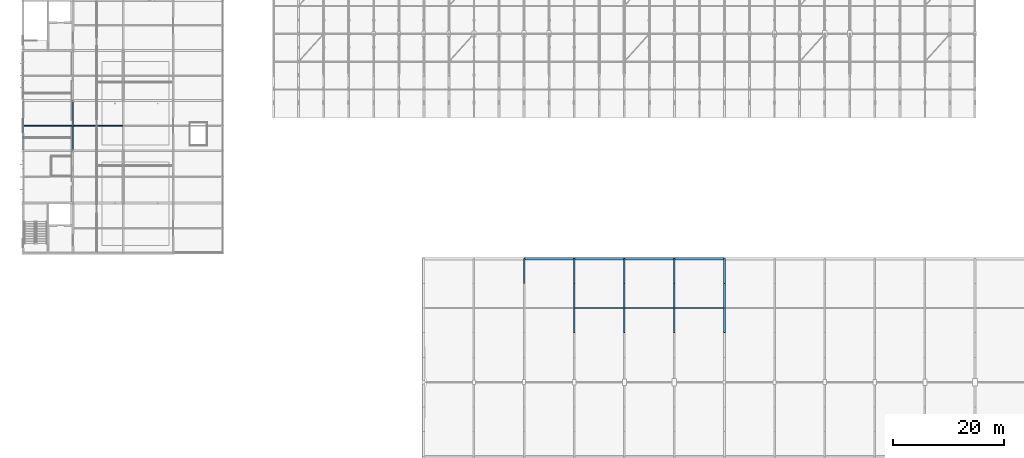
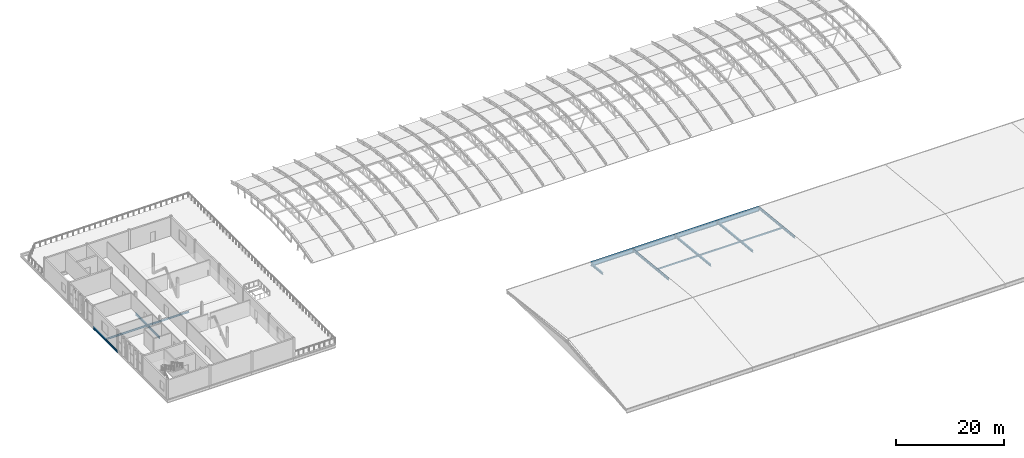
# One storey, part 4 of 53: 16 members, 8 beams.
"""IFC4 building model written with IfcOpenShell, lengths in metres."""

import ifcopenshell
import ifcopenshell.guid

model = None  # the IFC model being written
_history = None  # IfcOwnerHistory: only IFC2X3 demands one
_inside = {}  # id of a spatial element -> (the spatial element, [elements in it])
_under = {}  # id of a project, library or spatial element -> (it, [spatial elements below it])
_declared = {}  # id of a project -> (the project, [libraries it declares])
_typed = {}  # id of a type object -> (the type object, [elements of that type])
_made_of = {}  # id of a material, layer set ... -> (it, [elements and type objects made of it])


def new_model(schema):
    """Start an empty IFC model of exactly this schema.

    Asked for "IFC4X3", IfcOpenShell would pick the latest addendum, in which some entities
    have other attributes; the version numbers below select the first issue.
    IFC2X3 requires an IfcOwnerHistory on every rooted entity: one is made here for all.
    """
    global model, _history
    if schema == "IFC4X3":
        model = ifcopenshell.file(schema_version=(4, 3, 0, 0))
    else:
        model = ifcopenshell.file(schema=schema)
    _inside.clear()
    _under.clear()
    _declared.clear()
    _typed.clear()
    _made_of.clear()
    _history = None
    if model.schema == "IFC2X3":
        org = make("IfcOrganization", Name="unknown")
        user = make(
            "IfcPersonAndOrganization",
            ThePerson=make("IfcPerson", FamilyName="unknown"),
            TheOrganization=org,
        )
        app = make(
            "IfcApplication",
            ApplicationDeveloper=org,
            Version="unknown",
            ApplicationFullName="unknown",
            ApplicationIdentifier="unknown",
        )
        _history = make(
            "IfcOwnerHistory",
            OwningUser=user,
            OwningApplication=app,
            ChangeAction="ADDED",
            CreationDate=0,
        )
    return model


def make(cls, **values):
    """One entity of the class cls with the attributes given. An attribute that is None is left unset."""
    return model.create_entity(
        cls, **{name: value for name, value in values.items() if value is not None}
    )


def rooted(cls, **values):
    """An entity with a GlobalId (a new one), such as an element, a storey or a relation."""
    return make(cls, GlobalId=ifcopenshell.guid.new(), OwnerHistory=_history, **values)


def si_unit(unit_type, name, prefix=None):
    """IfcSIUnit, for example si_unit("LENGTHUNIT", "METRE", prefix="MILLI")."""
    return make("IfcSIUnit", UnitType=unit_type, Prefix=prefix, Name=name)


def assignment(units):
    """IfcUnitAssignment: the units of a project."""
    return None if units is None else make("IfcUnitAssignment", Units=units)


def point(xyz):
    """IfcCartesianPoint."""
    return None if xyz is None else make("IfcCartesianPoint", Coordinates=xyz)


def direction(xyz):
    """IfcDirection."""
    return None if xyz is None else make("IfcDirection", DirectionRatios=xyz)


def frame(location, z_axis=None, x_axis=None):
    """IfcAxis2Placement3D, a coordinate frame: its origin and axes. An axis left out is left unset."""
    return make(
        "IfcAxis2Placement3D",
        Location=point(location),
        Axis=direction(z_axis),
        RefDirection=direction(x_axis),
    )


def frame_2d(location, x_axis=None):
    """IfcAxis2Placement2D, a coordinate frame in the plane: its origin and x axis."""
    return make(
        "IfcAxis2Placement2D", Location=point(location), RefDirection=direction(x_axis)
    )


def origin():
    """The frame at (0, 0, 0) with its axes left unset."""
    return frame((0.0, 0.0, 0.0))


def origin_2d():
    """The frame at (0, 0) in the plane with its x axis left unset."""
    return frame_2d((0.0, 0.0))


def place(relative_to, where):
    """IfcLocalPlacement: puts the frame where relative to a parent placement (None: the world)."""
    return make(
        "IfcLocalPlacement", PlacementRelTo=relative_to, RelativePlacement=where
    )


def context(
    kind, dimensions, precision=None, world=None, true_north=None, identifier=None
):
    """IfcGeometricRepresentationContext, for example the 3D "Model" context."""
    return make(
        "IfcGeometricRepresentationContext",
        ContextIdentifier=identifier,
        ContextType=kind,
        CoordinateSpaceDimension=dimensions,
        Precision=precision,
        WorldCoordinateSystem=world,
        TrueNorth=true_north,
    )


def subcontext(parent, identifier, kind, view, scale=None):
    """IfcGeometricRepresentationSubContext, for example "Body" below "Model"."""
    return make(
        "IfcGeometricRepresentationSubContext",
        ContextIdentifier=identifier,
        ContextType=kind,
        ParentContext=parent,
        TargetScale=scale,
        TargetView=view,
    )


def project(units=None, contexts=None):
    """IfcProject with its units and contexts."""
    return rooted(
        "IfcProject",
        Name="project",
        RepresentationContexts=contexts,
        UnitsInContext=assignment(units),
    )


def spatial(cls, under=None, at=None, **own):
    """A site, building, storey or space (cls), placed at a placement, below another one or the project."""
    s = rooted(cls, ObjectPlacement=at, **own)
    if under is not None:
        _under.setdefault(under.id(), (under, []))[1].append(s)
    return s


def profile(cls, at=None, kind="AREA", **sizes):
    """A parametric profile (cls). Its sizes go by their IFC names, for example OverallWidth=200.0."""
    return make(cls, ProfileType=kind, Position=at, **sizes)


def hollow_rectangle(**sizes):
    """IfcRectangleHollowProfileDef."""
    return profile("IfcRectangleHollowProfileDef", **sizes)


def i_section(**sizes):
    """IfcIShapeProfileDef."""
    return profile("IfcIShapeProfileDef", **sizes)


def extrude(swept, where, along, depth):
    """IfcExtrudedAreaSolid: the profile swept, set in the frame where, extruded along a direction by depth."""
    return make(
        "IfcExtrudedAreaSolid",
        SweptArea=swept,
        Position=where,
        ExtrudedDirection=direction(along),
        Depth=depth,
    )


def shape(context_of_items, identifier, shape_type, items):
    """IfcShapeRepresentation: the items that make up one representation, for example the "Body"."""
    return make(
        "IfcShapeRepresentation",
        ContextOfItems=context_of_items,
        RepresentationIdentifier=identifier,
        RepresentationType=shape_type,
        Items=items,
    )


def material(Name=None, Category=None):
    """IfcMaterial."""
    return make("IfcMaterial", Name=Name, Category=Category)


def material_profile(
    of_material, cross_section, Name=None, Category=None, Priority=None
):
    """IfcMaterialProfile: a cross section and its material."""
    return make(
        "IfcMaterialProfile",
        Name=Name,
        Material=of_material,
        Profile=cross_section,
        Priority=Priority,
        Category=Category,
    )


def profile_set(profiles, Name=None, composite=None):
    """IfcMaterialProfileSet."""
    return make(
        "IfcMaterialProfileSet",
        Name=Name,
        MaterialProfiles=profiles,
        CompositeProfile=composite,
    )


def made_of(thing, what):
    """Note that an element or type object is made of a material, layer set ...; save() writes the relation."""
    if what is not None:
        _made_of.setdefault(what.id(), (what, []))[1].append(thing)
    return thing


def type_object(cls, material=None, **own):
    """A type object (cls), such as IfcWallType, which elements share."""
    return made_of(rooted(cls, **own), material)


def element(
    cls,
    number,
    at=None,
    inside=None,
    cuts=None,
    type_object=None,
    material=None,
    context=None,
    identifier="Body",
    shape_type=None,
    held_by="IfcProductDefinitionShape",
    body=None,
    shapes=None,
    **own,
):
    """One element of the class cls, such as IfcWall. Its Tag is "e" and its number.

    at: its placement. inside: the storey or other place that contains it. cuts: it is an
    opening in that element (IfcRelVoidsElement). A single representation is given by context,
    identifier, shape_type and body (its items); several are given by shapes. held_by: the class
    of the entity that holds the representations. save() writes the other relations.
    """
    e = rooted(cls, Tag="e%d" % number, ObjectPlacement=at, **own)
    if body is not None:
        shapes = [shape(context, identifier, shape_type, body)]
    if shapes is not None:
        e.Representation = make(held_by, Representations=shapes)
    if inside is not None:
        _inside.setdefault(inside.id(), (inside, []))[1].append(e)
    if cuts is not None:
        rooted(
            "IfcRelVoidsElement", RelatingBuildingElement=cuts, RelatedOpeningElement=e
        )
    if type_object is not None:
        _typed.setdefault(type_object.id(), (type_object, []))[1].append(e)
    return made_of(e, material)


def aggregate(whole, parts):
    """IfcRelAggregates: a whole, such as a stair, and the parts it consists of."""
    return rooted("IfcRelAggregates", RelatingObject=whole, RelatedObjects=parts)


def save(model, path):
    """Write the relations noted so far, then the file.

    IfcRelAggregates (storeys below a building ...), IfcRelContainedInSpatialStructure (elements
    in a storey), IfcRelDefinesByType, IfcRelAssociatesMaterial and IfcRelDeclares: one each for
    every whole, place, type object, material and project.
    """
    for whole, parts in _under.values():
        aggregate(whole, parts)
    for where, things in _inside.values():
        rooted(
            "IfcRelContainedInSpatialStructure",
            RelatedElements=things,
            RelatingStructure=where,
        )
    for kind, things in _typed.values():
        rooted("IfcRelDefinesByType", RelatedObjects=things, RelatingType=kind)
    for what, things in _made_of.values():
        rooted("IfcRelAssociatesMaterial", RelatedObjects=things, RelatingMaterial=what)
    for by, libraries in _declared.values():
        rooted("IfcRelDeclares", RelatingContext=by, RelatedDefinitions=libraries)
    model.write(path)


model = new_model("IFC4")

# Units and contexts
model_context = context("Model", 3, precision=1e-05, world=origin(), true_north=direction((0.0, 1.0)))
body_context = subcontext(model_context, "Body", "Model", "MODEL_VIEW")
ifc_project = project(units=[si_unit("LENGTHUNIT", "METRE"), si_unit("AREAUNIT", "SQUARE_METRE"), si_unit("VOLUMEUNIT", "CUBIC_METRE"), si_unit("PLANEANGLEUNIT", "RADIAN"), si_unit("MASSUNIT", "GRAM", prefix="KILO")], contexts=[model_context])

# Site, building, storey
site_placement = place(None, origin())
site = spatial("IfcSite", under=ifc_project, at=site_placement, CompositionType="ELEMENT")
building_placement = place(site_placement, origin())
building = spatial("IfcBuilding", under=site, at=building_placement, Name="Cazmaro Siding Exhibition Halls", CompositionType="ELEMENT")
storey_placement = place(building_placement, frame((0.0, 0.0, 21.0)))
storey = spatial("IfcBuildingStorey", under=building, at=storey_placement, Name="L04", CompositionType="ELEMENT", Elevation=21.0)

# Beams
ifc_material_1 = material(Name="Steel ASTM A992 Grade 50", Category="steel")
ifc_material_profile_1 = material_profile(ifc_material_1, i_section(OverallWidth=0.214111328125, OverallDepth=0.549072265625, WebThickness=0.014892578125, FlangeThickness=0.02392578125, at=origin_2d()), Name="W21X93")
ifc_profile_set_1 = profile_set([ifc_material_profile_1], Name="Steel ASTM A992 Grade 50")
beam_type_1 = type_object("IfcBeamType", Name="B-01", PredefinedType="BEAM", material=ifc_profile_set_1)
for number, where, z_axis, x_axis, name in (
    (1, (0.0, 73.0, -0.493896484375), (0.0, 1.0, 0.0), (-1.0, 0.0, 0.0), "Beam B-01 BM-2330"),
    (2, (9.0, 73.0, -0.493896484375), (0.0, 1.0, 0.0), (-1.0, 0.0, 0.0), "Beam B-01 BM-2336"),
):
    element("IfcBeam", number, at=place(storey_placement, frame(where, z_axis=z_axis, x_axis=x_axis)), inside=storey, type_object=beam_type_1, Name=name, PredefinedType="BEAM", context=body_context, shape_type="SweptSolid", body=[
        extrude(i_section(OverallWidth=0.214111328125, OverallDepth=0.549072265625, WebThickness=0.014892578125, FlangeThickness=0.02392578125, at=origin_2d()), origin(), (0.0, 0.0, 1.0), 9.0),
    ])
ifc_material_2 = material(Name="Steel ASTM A992 Grade 50", Category="steel")
ifc_material_profile_2 = material_profile(ifc_material_2, i_section(OverallWidth=0.4189453125, OverallDepth=0.927001953125, WebThickness=0.02001953125, FlangeThickness=0.031982421875, at=origin_2d()), Name="W36X231")
ifc_profile_set_2 = profile_set([ifc_material_profile_2], Name="Steel ASTM A992 Grade 50")
beam_type_2 = type_object("IfcBeamType", Name="G-02", PredefinedType="USERDEFINED", material=ifc_profile_set_2)
for number, where, z_axis, x_axis, name in (
    (3, (90.0, 53.60009765625, -0.462890625), (1.0, 0.0, 0.0), (0.0, 1.0, 0.0), "Beam G-02 BM-1494"),
    (4, (99.0, 53.60009765625, -0.462890625), (1.0, 0.0, 0.0), (0.0, 1.0, 0.0), "Beam G-02 BM-1498"),
    (5, (108.0, 53.60009765625, -0.462890625), (1.0, 0.0, 0.0), (0.0, 1.0, 0.0), "Beam G-02 BM-1502"),
    (6, (117.0, 53.60009765625, -0.462890625), (1.0, 0.0, 0.0), (0.0, 1.0, 0.0), "Beam G-02 BM-1506"),
):
    element("IfcBeam", number, at=place(storey_placement, frame(where, z_axis=z_axis, x_axis=x_axis)), inside=storey, type_object=beam_type_2, Name=name, ObjectType="GIRDER", PredefinedType="USERDEFINED", context=body_context, shape_type="SweptSolid", body=[
        extrude(i_section(OverallWidth=0.4189453125, OverallDepth=0.927001953125, WebThickness=0.02001953125, FlangeThickness=0.031982421875, at=origin_2d()), origin(), (0.0, 0.0, 1.0), 9.0),
    ])
ifc_material_3 = material(Name="Steel ASTM A992 Grade 50", Category="steel")
ifc_material_profile_3 = material_profile(ifc_material_3, i_section(OverallWidth=0.177978515625, OverallDepth=0.406005859375, WebThickness=0.008056640625, FlangeThickness=0.012939453125, at=origin_2d()), Name="W16X40")
ifc_profile_set_3 = profile_set([ifc_material_profile_3], Name="Steel ASTM A992 Grade 50")
beam_type_3 = type_object("IfcBeamType", Name="J-02", PredefinedType="JOIST", material=ifc_profile_set_3)
for number, where, z_axis, x_axis, name in (
    (7, (0.10693359375, 77.5, -0.423095703125), (1.0, 0.0, 0.0), (0.0, 1.0, 0.0), "Beam J-02 BM-2286"),
    (8, (9.10693359375, 77.5, -0.423095703125), (1.0, 0.0, 0.0), (0.0, 1.0, 0.0), "Beam J-02 BM-2298"),
):
    element("IfcBeam", number, at=place(storey_placement, frame(where, z_axis=z_axis, x_axis=x_axis)), inside=storey, type_object=beam_type_3, Name=name, PredefinedType="JOIST", context=body_context, shape_type="SweptSolid", body=[
        extrude(i_section(OverallWidth=0.177978515625, OverallDepth=0.406005859375, WebThickness=0.008056640625, FlangeThickness=0.012939453125, at=origin_2d()), origin(), (0.0, 0.0, 1.0), 8.7861328125),
    ])

# Members
ifc_material_4 = material(Name="Steel ASTM A500 Grade C", Category="steel")
ifc_material_profile_4 = material_profile(ifc_material_4, hollow_rectangle(XDim=0.202880859375, YDim=0.304931640625, WallThickness=0.011962890625, at=origin_2d()), Name="HSS12X8X1/2")
ifc_profile_set_4 = profile_set([ifc_material_profile_4], Name="Steel ASTM A500 Grade C")
member_type_1 = type_object("IfcMemberType", Name="RP-02", PredefinedType="PURLIN", material=ifc_profile_set_4)
for number, where, z_axis, x_axis, name in (
    (9, (99.0, 44.72998046875, 0.610107421875), (1.0, 0.0, 0.0), (0.0, 1.0, 0.0), "Warren roof purlin RP-02 MEM-2937"),
    (10, (108.0, 44.72998046875, 0.610107421875), (1.0, 0.0, 0.0), (0.0, 1.0, 0.0), "Warren roof purlin RP-02 MEM-2940"),
    (11, (117.0, 44.72998046875, 0.610107421875), (1.0, 0.0, 0.0), (0.0, 1.0, 0.0), "Warren roof purlin RP-02 MEM-2943"),
):
    element("IfcMember", number, at=place(storey_placement, frame(where, z_axis=z_axis, x_axis=x_axis)), inside=storey, type_object=member_type_1, Name=name, PredefinedType="PURLIN", context=body_context, shape_type="SweptSolid", body=[
        extrude(hollow_rectangle(XDim=0.202880859375, YDim=0.304931640625, WallThickness=0.011962890625, at=origin_2d()), origin(), (0.0, 0.0, 1.0), 9.0),
    ])
ifc_material_5 = material(Name="Steel ASTM A992 Grade 50", Category="steel")
ifc_material_profile_5 = material_profile(ifc_material_5, i_section(OverallWidth=0.279052734375, OverallDepth=0.4619140625, WebThickness=0.010986328125, FlangeThickness=0.01708984375, at=origin_2d()), Name="W18X76")
ifc_profile_set_5 = profile_set([ifc_material_profile_5], Name="Steel ASTM A992 Grade 50")
member_type_2 = type_object("IfcMemberType", Name="TC-03", PredefinedType="CHORD", material=ifc_profile_set_5)
for number, where, z_axis, x_axis, name in (
    (12, (90.0, 49.1650390625, 0.10595703125), (0.0, 0.994523736536, -0.104510944239), (-1.0, 0.0, 0.0), "Warren roof truss top chord TC-03 MEM-2407"),
    (13, (99.0, 40.294921875, 1.0390625), (0.0, 0.994523736536, -0.104510944239), (-1.0, 0.0, 0.0), "Warren roof truss top chord TC-03 MEM-2440"),
    (14, (99.0, 44.72998046875, 0.572998046875), (0.0, 0.994500952399, -0.104727530658), (-1.0, 0.0, 0.0), "Warren roof truss top chord TC-03 MEM-2443"),
    (15, (99.0, 49.1650390625, 0.10595703125), (0.0, 0.994523736536, -0.104510944239), (-1.0, 0.0, 0.0), "Warren roof truss top chord TC-03 MEM-2446"),
    (16, (108.0, 40.294921875, 1.0390625), (0.0, 0.994523736536, -0.104510944239), (-1.0, 0.0, 0.0), "Warren roof truss top chord TC-03 MEM-2479"),
    (17, (108.0, 44.72998046875, 0.572998046875), (0.0, 0.994500952399, -0.104727530658), (-1.0, 0.0, 0.0), "Warren roof truss top chord TC-03 MEM-2482"),
    (18, (108.0, 49.1650390625, 0.10595703125), (0.0, 0.994523736536, -0.104510944239), (-1.0, 0.0, 0.0), "Warren roof truss top chord TC-03 MEM-2485"),
    (19, (117.0, 40.294921875, 1.0390625), (0.0, 0.994523736536, -0.104510944239), (-1.0, 0.0, 0.0), "Warren roof truss top chord TC-03 MEM-2518"),
    (20, (117.0, 44.72998046875, 0.572998046875), (0.0, 0.994500952399, -0.104727530658), (-1.0, 0.0, 0.0), "Warren roof truss top chord TC-03 MEM-2521"),
    (21, (117.0, 49.1650390625, 0.10595703125), (0.0, 0.994523736536, -0.104510944239), (-1.0, 0.0, 0.0), "Warren roof truss top chord TC-03 MEM-2524"),
    (22, (126.0, 40.294921875, 1.0390625), (0.0, 0.994523736536, -0.104510944239), (-1.0, 0.0, 0.0), "Warren roof truss top chord TC-03 MEM-2557"),
    (23, (126.0, 44.72998046875, 0.572998046875), (0.0, 0.994500952399, -0.104727530658), (-1.0, 0.0, 0.0), "Warren roof truss top chord TC-03 MEM-2560"),
    (24, (126.0, 49.1650390625, 0.10595703125), (0.0, 0.994523736536, -0.104510944239), (-1.0, 0.0, 0.0), "Warren roof truss top chord TC-03 MEM-2563"),
):
    element("IfcMember", number, at=place(storey_placement, frame(where, z_axis=z_axis, x_axis=x_axis)), inside=storey, type_object=member_type_2, Name=name, PredefinedType="CHORD", context=body_context, shape_type="SweptSolid", body=[
        extrude(i_section(OverallWidth=0.279052734375, OverallDepth=0.4619140625, WebThickness=0.010986328125, FlangeThickness=0.01708984375, at=origin_2d()), origin(), (0.0, 0.0, 1.0), 4.45947265625),
    ])

save(model, "model.ifc")
